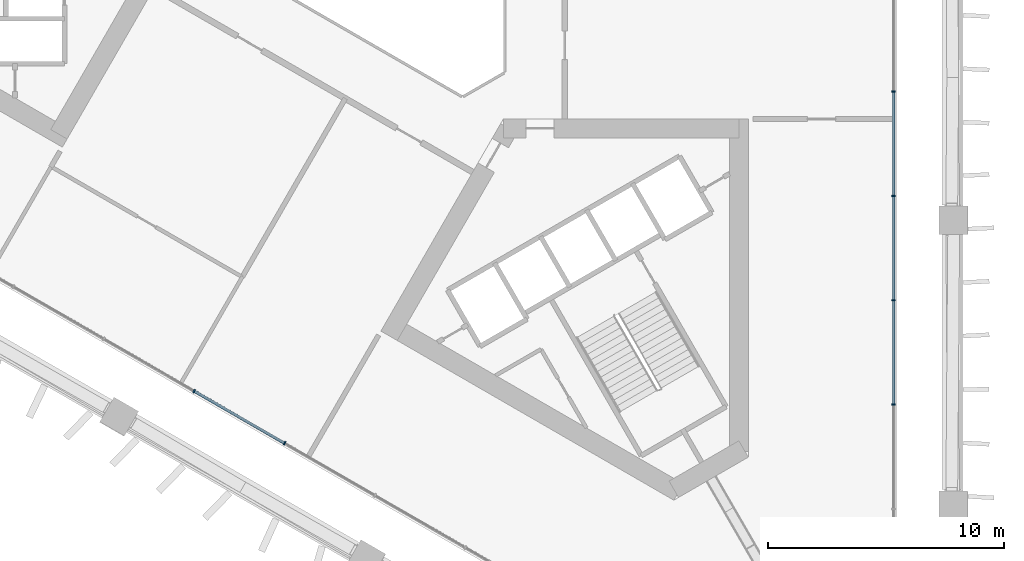
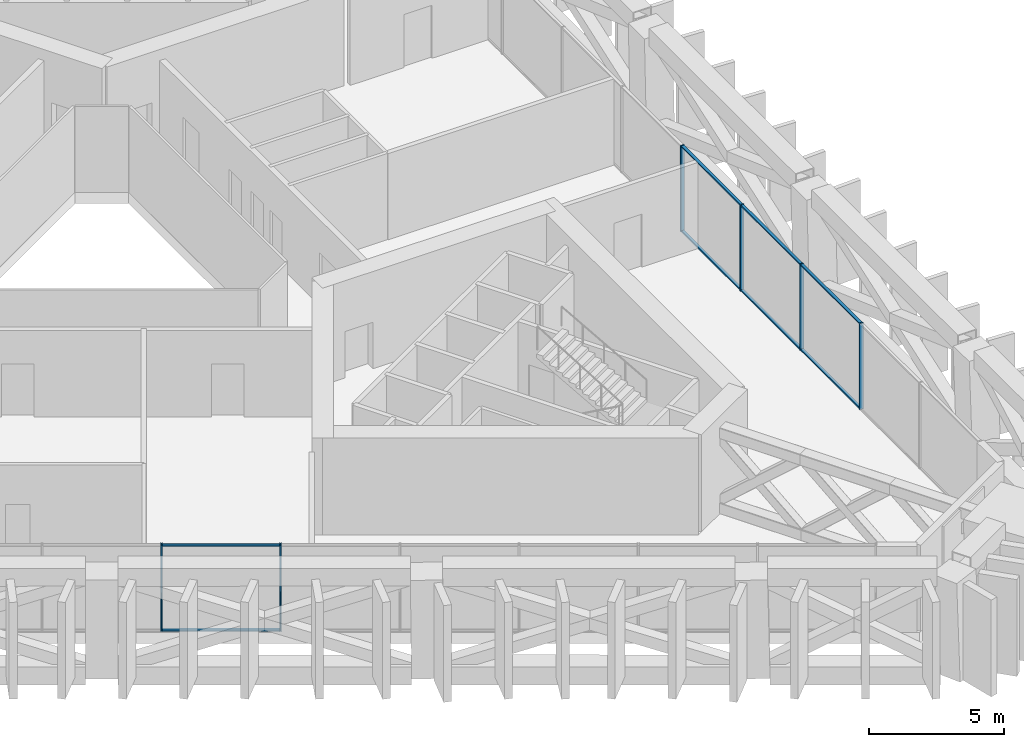
# One storey, part 5 of 18: 14 members, 2 elements without a shape of their own.
"""IFC4 building model written with IfcOpenShell, lengths in metres."""

import ifcopenshell
import ifcopenshell.guid

model = None  # the IFC model being written
_history = None  # IfcOwnerHistory: only IFC2X3 demands one
_inside = {}  # id of a spatial element -> (the spatial element, [elements in it])
_under = {}  # id of a project, library or spatial element -> (it, [spatial elements below it])
_declared = {}  # id of a project -> (the project, [libraries it declares])
_typed = {}  # id of a type object -> (the type object, [elements of that type])
_made_of = {}  # id of a material, layer set ... -> (it, [elements and type objects made of it])


def new_model(schema):
    """Start an empty IFC model of exactly this schema.

    Asked for "IFC4X3", IfcOpenShell would pick the latest addendum, in which some entities
    have other attributes; the version numbers below select the first issue.
    IFC2X3 requires an IfcOwnerHistory on every rooted entity: one is made here for all.
    """
    global model, _history
    if schema == "IFC4X3":
        model = ifcopenshell.file(schema_version=(4, 3, 0, 0))
    else:
        model = ifcopenshell.file(schema=schema)
    _inside.clear()
    _under.clear()
    _declared.clear()
    _typed.clear()
    _made_of.clear()
    _history = None
    if model.schema == "IFC2X3":
        org = make("IfcOrganization", Name="unknown")
        user = make(
            "IfcPersonAndOrganization",
            ThePerson=make("IfcPerson", FamilyName="unknown"),
            TheOrganization=org,
        )
        app = make(
            "IfcApplication",
            ApplicationDeveloper=org,
            Version="unknown",
            ApplicationFullName="unknown",
            ApplicationIdentifier="unknown",
        )
        _history = make(
            "IfcOwnerHistory",
            OwningUser=user,
            OwningApplication=app,
            ChangeAction="ADDED",
            CreationDate=0,
        )
    return model


def make(cls, **values):
    """One entity of the class cls with the attributes given. An attribute that is None is left unset."""
    return model.create_entity(
        cls, **{name: value for name, value in values.items() if value is not None}
    )


def rooted(cls, **values):
    """An entity with a GlobalId (a new one), such as an element, a storey or a relation."""
    return make(cls, GlobalId=ifcopenshell.guid.new(), OwnerHistory=_history, **values)


def si_unit(unit_type, name, prefix=None):
    """IfcSIUnit, for example si_unit("LENGTHUNIT", "METRE", prefix="MILLI")."""
    return make("IfcSIUnit", UnitType=unit_type, Prefix=prefix, Name=name)


def assignment(units):
    """IfcUnitAssignment: the units of a project."""
    return None if units is None else make("IfcUnitAssignment", Units=units)


def point(xyz):
    """IfcCartesianPoint."""
    return None if xyz is None else make("IfcCartesianPoint", Coordinates=xyz)


def direction(xyz):
    """IfcDirection."""
    return None if xyz is None else make("IfcDirection", DirectionRatios=xyz)


def frame(location, z_axis=None, x_axis=None):
    """IfcAxis2Placement3D, a coordinate frame: its origin and axes. An axis left out is left unset."""
    return make(
        "IfcAxis2Placement3D",
        Location=point(location),
        Axis=direction(z_axis),
        RefDirection=direction(x_axis),
    )


def frame_2d(location, x_axis=None):
    """IfcAxis2Placement2D, a coordinate frame in the plane: its origin and x axis."""
    return make(
        "IfcAxis2Placement2D", Location=point(location), RefDirection=direction(x_axis)
    )


def origin():
    """The frame at (0, 0, 0) with its axes left unset."""
    return frame((0.0, 0.0, 0.0))


def origin_2d():
    """The frame at (0, 0) in the plane with its x axis left unset."""
    return frame_2d((0.0, 0.0))


def place(relative_to, where):
    """IfcLocalPlacement: puts the frame where relative to a parent placement (None: the world)."""
    return make(
        "IfcLocalPlacement", PlacementRelTo=relative_to, RelativePlacement=where
    )


def context(
    kind, dimensions, precision=None, world=None, true_north=None, identifier=None
):
    """IfcGeometricRepresentationContext, for example the 3D "Model" context."""
    return make(
        "IfcGeometricRepresentationContext",
        ContextIdentifier=identifier,
        ContextType=kind,
        CoordinateSpaceDimension=dimensions,
        Precision=precision,
        WorldCoordinateSystem=world,
        TrueNorth=true_north,
    )


def subcontext(parent, identifier, kind, view, scale=None):
    """IfcGeometricRepresentationSubContext, for example "Body" below "Model"."""
    return make(
        "IfcGeometricRepresentationSubContext",
        ContextIdentifier=identifier,
        ContextType=kind,
        ParentContext=parent,
        TargetScale=scale,
        TargetView=view,
    )


def project(units=None, contexts=None):
    """IfcProject with its units and contexts."""
    return rooted(
        "IfcProject",
        Name="project",
        RepresentationContexts=contexts,
        UnitsInContext=assignment(units),
    )


def spatial(cls, under=None, at=None, **own):
    """A site, building, storey or space (cls), placed at a placement, below another one or the project."""
    s = rooted(cls, ObjectPlacement=at, **own)
    if under is not None:
        _under.setdefault(under.id(), (under, []))[1].append(s)
    return s


def profile(cls, at=None, kind="AREA", **sizes):
    """A parametric profile (cls). Its sizes go by their IFC names, for example OverallWidth=200.0."""
    return make(cls, ProfileType=kind, Position=at, **sizes)


def rectangle(**sizes):
    """IfcRectangleProfileDef."""
    return profile("IfcRectangleProfileDef", **sizes)


def extrude(swept, where, along, depth):
    """IfcExtrudedAreaSolid: the profile swept, set in the frame where, extruded along a direction by depth."""
    return make(
        "IfcExtrudedAreaSolid",
        SweptArea=swept,
        Position=where,
        ExtrudedDirection=direction(along),
        Depth=depth,
    )


def shape(context_of_items, identifier, shape_type, items):
    """IfcShapeRepresentation: the items that make up one representation, for example the "Body"."""
    return make(
        "IfcShapeRepresentation",
        ContextOfItems=context_of_items,
        RepresentationIdentifier=identifier,
        RepresentationType=shape_type,
        Items=items,
    )


def material(Name=None, Category=None):
    """IfcMaterial."""
    return make("IfcMaterial", Name=Name, Category=Category)


def layer(
    of_material, thickness, ventilated=None, Name=None, Category=None, Priority=None
):
    """IfcMaterialLayer: one layer of a wall or slab, of a material (None: an air gap)."""
    return make(
        "IfcMaterialLayer",
        Material=of_material,
        LayerThickness=thickness,
        IsVentilated=ventilated,
        Name=Name,
        Category=Category,
        Priority=Priority,
    )


def layer_set(layers, Name=None):
    """IfcMaterialLayerSet."""
    return make("IfcMaterialLayerSet", MaterialLayers=layers, LayerSetName=Name)


def material_profile(
    of_material, cross_section, Name=None, Category=None, Priority=None
):
    """IfcMaterialProfile: a cross section and its material."""
    return make(
        "IfcMaterialProfile",
        Name=Name,
        Material=of_material,
        Profile=cross_section,
        Priority=Priority,
        Category=Category,
    )


def profile_set(profiles, Name=None, composite=None):
    """IfcMaterialProfileSet."""
    return make(
        "IfcMaterialProfileSet",
        Name=Name,
        MaterialProfiles=profiles,
        CompositeProfile=composite,
    )


def made_of(thing, what):
    """Note that an element or type object is made of a material, layer set ...; save() writes the relation."""
    if what is not None:
        _made_of.setdefault(what.id(), (what, []))[1].append(thing)
    return thing


def type_object(cls, material=None, **own):
    """A type object (cls), such as IfcWallType, which elements share."""
    return made_of(rooted(cls, **own), material)


def element(
    cls,
    number,
    at=None,
    inside=None,
    cuts=None,
    type_object=None,
    material=None,
    context=None,
    identifier="Body",
    shape_type=None,
    held_by="IfcProductDefinitionShape",
    body=None,
    shapes=None,
    **own,
):
    """One element of the class cls, such as IfcWall. Its Tag is "e" and its number.

    at: its placement. inside: the storey or other place that contains it. cuts: it is an
    opening in that element (IfcRelVoidsElement). A single representation is given by context,
    identifier, shape_type and body (its items); several are given by shapes. held_by: the class
    of the entity that holds the representations. save() writes the other relations.
    """
    e = rooted(cls, Tag="e%d" % number, ObjectPlacement=at, **own)
    if body is not None:
        shapes = [shape(context, identifier, shape_type, body)]
    if shapes is not None:
        e.Representation = make(held_by, Representations=shapes)
    if inside is not None:
        _inside.setdefault(inside.id(), (inside, []))[1].append(e)
    if cuts is not None:
        rooted(
            "IfcRelVoidsElement", RelatingBuildingElement=cuts, RelatedOpeningElement=e
        )
    if type_object is not None:
        _typed.setdefault(type_object.id(), (type_object, []))[1].append(e)
    return made_of(e, material)


def aggregate(whole, parts):
    """IfcRelAggregates: a whole, such as a stair, and the parts it consists of."""
    return rooted("IfcRelAggregates", RelatingObject=whole, RelatedObjects=parts)


def save(model, path):
    """Write the relations noted so far, then the file.

    IfcRelAggregates (storeys below a building ...), IfcRelContainedInSpatialStructure (elements
    in a storey), IfcRelDefinesByType, IfcRelAssociatesMaterial and IfcRelDeclares: one each for
    every whole, place, type object, material and project.
    """
    for whole, parts in _under.values():
        aggregate(whole, parts)
    for where, things in _inside.values():
        rooted(
            "IfcRelContainedInSpatialStructure",
            RelatedElements=things,
            RelatingStructure=where,
        )
    for kind, things in _typed.values():
        rooted("IfcRelDefinesByType", RelatedObjects=things, RelatingType=kind)
    for what, things in _made_of.values():
        rooted("IfcRelAssociatesMaterial", RelatedObjects=things, RelatingMaterial=what)
    for by, libraries in _declared.values():
        rooted("IfcRelDeclares", RelatingContext=by, RelatedDefinitions=libraries)
    model.write(path)


model = new_model("IFC4")

# Units and contexts
model_context = context("Model", 3, precision=1e-05, world=origin(), true_north=direction((0.0, 1.0)))
body_context = subcontext(model_context, "Body", "Model", "MODEL_VIEW")
ifc_project = project(units=[si_unit("LENGTHUNIT", "METRE"), si_unit("AREAUNIT", "SQUARE_METRE"), si_unit("VOLUMEUNIT", "CUBIC_METRE"), si_unit("PLANEANGLEUNIT", "RADIAN"), si_unit("MASSUNIT", "GRAM", prefix="KILO")], contexts=[model_context])

# Site, building, storey
site_placement = place(None, origin())
site = spatial("IfcSite", under=ifc_project, at=site_placement, CompositionType="ELEMENT")
building_placement = place(site_placement, origin())
building = spatial("IfcBuilding", under=site, at=building_placement, Name="Jabali Bay Hotel Tower and Convention Centre", CompositionType="ELEMENT")
storey_placement = place(building_placement, frame((0.0, 0.0, 52.89990234375)))
storey = spatial("IfcBuildingStorey", under=building, at=storey_placement, Name="L11", CompositionType="ELEMENT", Elevation=52.89990234375)

# Curtain wall, members
ifc_material_1 = material(Name="Aluminium and glass", Category="aluminium")
ifc_layer = layer(ifc_material_1, 0.159912109375)
ifc_layer_set = layer_set([ifc_layer], Name="Aluminium and glass")
curtain_wall_type = type_object("IfcCurtainWallType", Name="CW3 curtain wall", PredefinedType="NOTDEFINED", material=ifc_layer_set)
curtain_wall_1_placement = place(storey_placement, origin())
curtain_wall_1 = element("IfcCurtainWall", 1, at=curtain_wall_1_placement, inside=storey, type_object=curtain_wall_type, Name="CW3 curtain wall east face L11", PredefinedType="NOTDEFINED")
ifc_material_2 = material(Name="Aluminium", Category="aluminium")
ifc_material_profile_1 = material_profile(ifc_material_2, rectangle(XDim=0.159912109375, YDim=0.06005859375, at=origin_2d()), Name="CW3 mullion 60 x 160")
ifc_profile_set_1 = profile_set([ifc_material_profile_1], Name="Aluminium")
member_type_1 = type_object("IfcMemberType", Name="CW3 mullion 60 x 160", PredefinedType="MULLION", material=ifc_profile_set_1)
member_1_placement = place(storey_placement, frame((96.03759765625, 73.365966796875, 0.0), z_axis=(0.0, 0.0, 1.0), x_axis=(1.0, 0.0, 0.0)))
member_1 = element("IfcMember", 2, at=member_1_placement, type_object=member_type_1, Name="CW3 mullion 9", PredefinedType="MULLION", context=body_context, shape_type="SweptSolid", body=[
    extrude(rectangle(XDim=0.159912109375, YDim=0.06005859375, at=origin_2d()), origin(), (0.0, 0.0, 1.0), 3.900146484375),
])
member_2_placement = place(storey_placement, frame((96.03759765625, 68.943115234375, 0.0), z_axis=(0.0, 0.0, 1.0), x_axis=(1.0, 0.0, 0.0)))
member_2 = element("IfcMember", 3, at=member_2_placement, type_object=member_type_1, Name="CW3 mullion 10", PredefinedType="MULLION", context=body_context, shape_type="SweptSolid", body=[
    extrude(rectangle(XDim=0.159912109375, YDim=0.06005859375, at=origin_2d()), origin(), (0.0, 0.0, 1.0), 3.900146484375),
])
member_3_placement = place(storey_placement, frame((96.03759765625, 64.5205078125, 0.0), z_axis=(0.0, 0.0, 1.0), x_axis=(1.0, 0.0, 0.0)))
member_3 = element("IfcMember", 4, at=member_3_placement, type_object=member_type_1, Name="CW3 mullion 11", PredefinedType="MULLION", context=body_context, shape_type="SweptSolid", body=[
    extrude(rectangle(XDim=0.159912109375, YDim=0.06005859375, at=origin_2d()), origin(), (0.0, 0.0, 1.0), 3.900146484375),
])
member_4_placement = place(storey_placement, frame((96.03759765625, 60.09765625, 0.0), z_axis=(0.0, 0.0, 1.0), x_axis=(1.0, 0.0, 0.0)))
member_4 = element("IfcMember", 5, at=member_4_placement, type_object=member_type_1, Name="CW3 mullion 12", PredefinedType="MULLION", context=body_context, shape_type="SweptSolid", body=[
    extrude(rectangle(XDim=0.159912109375, YDim=0.06005859375, at=origin_2d()), origin(), (0.0, 0.0, 1.0), 3.900146484375),
])

curtain_wall_2_placement = place(storey_placement, origin())
curtain_wall_2 = element("IfcCurtainWall", 6, at=curtain_wall_2_placement, inside=storey, type_object=curtain_wall_type, Name="CW3 curtain wall south-west face L11", PredefinedType="NOTDEFINED")
member_5_placement = place(storey_placement, frame((70.2265625, 58.4638671875, 0.0), z_axis=(0.0, 0.0, 1.0), x_axis=(-0.500000005895, -0.866025400381, 0.0)))
member_5 = element("IfcMember", 7, at=member_5_placement, type_object=member_type_1, Name="CW3 mullion 6", PredefinedType="MULLION", context=body_context, shape_type="SweptSolid", body=[
    extrude(rectangle(XDim=0.159912109375, YDim=0.06005859375, at=origin_2d()), origin(), (0.0, 0.0, 1.0), 3.900146484375),
])
member_6_placement = place(storey_placement, frame((66.396240234375, 60.675048828125, 0.0), z_axis=(0.0, 0.0, 1.0), x_axis=(-0.500000005895, -0.866025400381, 0.0)))
member_6 = element("IfcMember", 8, at=member_6_placement, type_object=member_type_1, Name="CW3 mullion 7", PredefinedType="MULLION", context=body_context, shape_type="SweptSolid", body=[
    extrude(rectangle(XDim=0.159912109375, YDim=0.06005859375, at=origin_2d()), origin(), (0.0, 0.0, 1.0), 3.900146484375),
])

# Member
ifc_material_profile_2 = material_profile(ifc_material_2, rectangle(XDim=0.1201171875, YDim=0.06005859375, at=origin_2d()), Name="CW3 transom 60 x 120")
ifc_profile_set_2 = profile_set([ifc_material_profile_2], Name="Aluminium")
member_type_2 = type_object("IfcMemberType", Name="CW3 transom 60 x 120", PredefinedType="USERDEFINED", material=ifc_profile_set_2)
member_7_placement = place(storey_placement, frame((96.03759765625, 73.3359375, 0.030029296875), z_axis=(0.0, -1.0, 0.0), x_axis=(1.0, 0.0, 0.0)))
member_7 = element("IfcMember", 9, at=member_7_placement, type_object=member_type_2, Name="CW3 transom 9.1", ObjectType="TRANSOM", PredefinedType="USERDEFINED", context=body_context, shape_type="SweptSolid", body=[
    extrude(rectangle(XDim=0.1201171875, YDim=0.06005859375, at=origin_2d()), origin(), (0.0, 0.0, 1.0), 4.36279296875),
])

member_8_placement = place(storey_placement, frame((96.03759765625, 73.3359375, 3.8701171875), z_axis=(0.0, -1.0, 0.0), x_axis=(1.0, 0.0, 0.0)))
member_8 = element("IfcMember", 10, at=member_8_placement, type_object=member_type_2, Name="CW3 transom 9.2", ObjectType="TRANSOM", PredefinedType="USERDEFINED", context=body_context, shape_type="SweptSolid", body=[
    extrude(rectangle(XDim=0.1201171875, YDim=0.06005859375, at=origin_2d()), origin(), (0.0, 0.0, 1.0), 4.36279296875),
])

member_9_placement = place(storey_placement, frame((96.03759765625, 68.9130859375, 0.030029296875), z_axis=(0.0, -1.0, 0.0), x_axis=(1.0, 0.0, 0.0)))
member_9 = element("IfcMember", 11, at=member_9_placement, type_object=member_type_2, Name="CW3 transom 10.1", ObjectType="TRANSOM", PredefinedType="USERDEFINED", context=body_context, shape_type="SweptSolid", body=[
    extrude(rectangle(XDim=0.1201171875, YDim=0.06005859375, at=origin_2d()), origin(), (0.0, 0.0, 1.0), 4.362548828125),
])

member_10_placement = place(storey_placement, frame((96.03759765625, 68.9130859375, 3.8701171875), z_axis=(0.0, -1.0, 0.0), x_axis=(1.0, 0.0, 0.0)))
member_10 = element("IfcMember", 12, at=member_10_placement, type_object=member_type_2, Name="CW3 transom 10.2", ObjectType="TRANSOM", PredefinedType="USERDEFINED", context=body_context, shape_type="SweptSolid", body=[
    extrude(rectangle(XDim=0.1201171875, YDim=0.06005859375, at=origin_2d()), origin(), (0.0, 0.0, 1.0), 4.362548828125),
])

member_11_placement = place(storey_placement, frame((96.03759765625, 64.490478515625, 0.030029296875), z_axis=(0.0, -1.0, 0.0), x_axis=(1.0, 0.0, 0.0)))
member_11 = element("IfcMember", 13, at=member_11_placement, type_object=member_type_2, Name="CW3 transom 11.1", ObjectType="TRANSOM", PredefinedType="USERDEFINED", context=body_context, shape_type="SweptSolid", body=[
    extrude(rectangle(XDim=0.1201171875, YDim=0.06005859375, at=origin_2d()), origin(), (0.0, 0.0, 1.0), 4.36279296875),
])

member_12_placement = place(storey_placement, frame((96.03759765625, 64.490478515625, 3.8701171875), z_axis=(0.0, -1.0, 0.0), x_axis=(1.0, 0.0, 0.0)))
member_12 = element("IfcMember", 14, at=member_12_placement, type_object=member_type_2, Name="CW3 transom 11.2", ObjectType="TRANSOM", PredefinedType="USERDEFINED", context=body_context, shape_type="SweptSolid", body=[
    extrude(rectangle(XDim=0.1201171875, YDim=0.06005859375, at=origin_2d()), origin(), (0.0, 0.0, 1.0), 4.36279296875),
])

aggregate(curtain_wall_1, [member_1, member_2, member_3, member_4, member_7, member_8, member_9, member_10, member_11, member_12])

member_13_placement = place(storey_placement, frame((70.200439453125, 58.478759765625, 0.030029296875), z_axis=(-0.866013176292, 0.50002117804, 0.0), x_axis=(-0.50002117804, -0.866013176292, 0.0)))
member_13 = element("IfcMember", 15, at=member_13_placement, type_object=member_type_2, Name="CW3 transom 6.1", ObjectType="TRANSOM", PredefinedType="USERDEFINED", context=body_context, shape_type="SweptSolid", body=[
    extrude(rectangle(XDim=0.1201171875, YDim=0.06005859375, at=origin_2d()), origin(), (0.0, 0.0, 1.0), 4.362548828125),
])

member_14_placement = place(storey_placement, frame((70.200439453125, 58.478759765625, 3.8701171875), z_axis=(-0.866013176292, 0.50002117804, 0.0), x_axis=(-0.50002117804, -0.866013176292, 0.0)))
member_14 = element("IfcMember", 16, at=member_14_placement, type_object=member_type_2, Name="CW3 transom 6.2", ObjectType="TRANSOM", PredefinedType="USERDEFINED", context=body_context, shape_type="SweptSolid", body=[
    extrude(rectangle(XDim=0.1201171875, YDim=0.06005859375, at=origin_2d()), origin(), (0.0, 0.0, 1.0), 4.362548828125),
])

aggregate(curtain_wall_2, [member_5, member_6, member_13, member_14])

save(model, "model.ifc")
